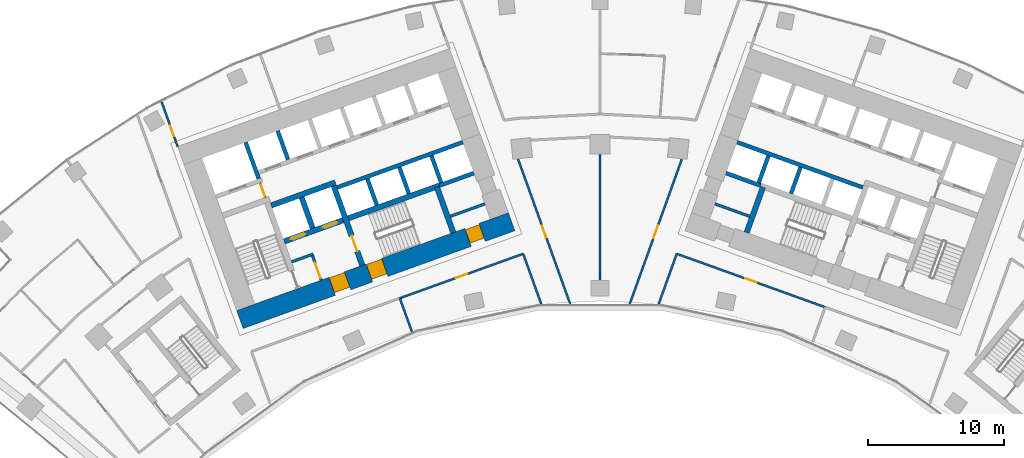
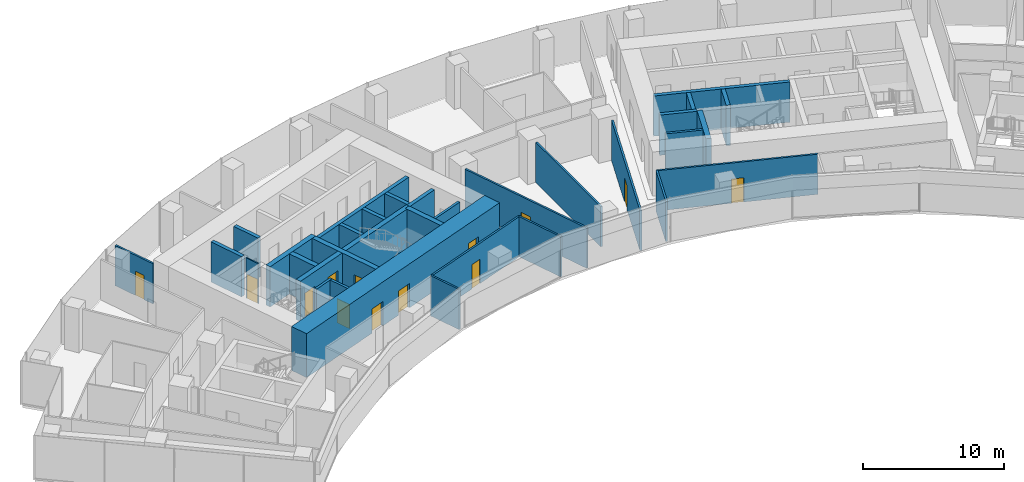
# One storey, part 14 of 20: 32 walls, 13 doors, 13 openings.
"""IFC4 building model written with IfcOpenShell, lengths in metres."""

from ifc_helpers import new_model, si_unit, direction, frame, frame_2d, origin, place, context, subcontext, project, spatial, rectangle, extrude, material, layer, layer_set, type_object, element, fill, save


model = new_model("IFC4")

# Units and contexts
model_context = context("Model", 3, precision=1e-05, world=origin(), true_north=direction((0.0, 1.0)))
body_context = subcontext(model_context, "Body", "Model", "MODEL_VIEW")
ifc_project = project(units=[si_unit("LENGTHUNIT", "METRE"), si_unit("AREAUNIT", "SQUARE_METRE"), si_unit("VOLUMEUNIT", "CUBIC_METRE"), si_unit("PLANEANGLEUNIT", "RADIAN"), si_unit("MASSUNIT", "GRAM", prefix="KILO")], contexts=[model_context])

# Site, building, storey
site_placement = place(None, origin())
site = spatial("IfcSite", under=ifc_project, at=site_placement, CompositionType="ELEMENT")
building_placement = place(site_placement, origin())
building = spatial("IfcBuilding", under=site, at=building_placement, Name="Stone Belt Terrace Tower", CompositionType="ELEMENT")
storey_placement = place(building_placement, frame((0.0, 0.0, 106.0)))
storey = spatial("IfcBuildingStorey", under=building, at=storey_placement, Name="L25", CompositionType="ELEMENT", Elevation=106.0)

# Wall, opening, door
ifc_material_1 = material(Name="Plasterboard partition")
ifc_layer_1 = layer(ifc_material_1, 0.10009765625)
ifc_layer_set_1 = layer_set([ifc_layer_1], Name="Core partition 100")
wall_type_1 = type_object("IfcWallType", Name="Core partition 100", PredefinedType="PARTITIONING", material=ifc_layer_set_1)
wall_1_placement = place(storey_placement, frame((-24.555908203125, 51.10400390625, 0.0), z_axis=(0.0, 0.0, 1.0), x_axis=(-0.338621735342, 0.94092258999, 0.0)))
wall_1 = element("IfcWall", 1, at=wall_1_placement, inside=storey, type_object=wall_type_1, Name="Core A wall", PredefinedType="PARTITIONING", context=body_context, shape_type="SweptSolid", body=[
    extrude(rectangle(XDim=1.14990234375, YDim=0.10009765625, at=frame_2d((0.574951171875, 0.0))), origin(), (0.0, 0.0, 1.0), 3.47998046875),
])
opening_1_placement = place(wall_1_placement, frame((0.050048828125, 0.0, 0.0)))
opening_1 = element("IfcOpeningElement", 2, at=opening_1_placement, cuts=wall_1, Name="Opening L25-C01", PredefinedType="OPENING", context=body_context, shape_type="SweptSolid", body=[
    extrude(rectangle(XDim=1.0, YDim=2.10009765625, at=frame_2d((0.5, 1.050048828125))), frame((0.0, 0.06005859375, 0.0), z_axis=(0.0, -1.0, 0.0), x_axis=(1.0, 0.0, 0.0)), (0.0, 0.0, 1.0), 0.1201171875),
])
ifc_material_2 = material(Name="Timber door leaf", Category="wood")
door_type_1 = type_object("IfcDoorType", Name="Core room door 1000", OperationType="SINGLE_SWING_LEFT", PredefinedType="DOOR", material=ifc_material_2)
door_1_placement = place(opening_1_placement, origin())
door_1 = element("IfcDoor", 3, at=door_1_placement, inside=storey, type_object=door_type_1, Name="Service lift lobby door core A", OperationType="SINGLE_SWING_RIGHT", OverallHeight=2.10009765625, OverallWidth=1.0, PredefinedType="DOOR", context=body_context, shape_type="SweptSolid", body=[
    extrude(rectangle(XDim=1.0, YDim=2.10009765625, at=frame_2d((0.5, 1.050048828125))), frame((0.0, 0.02490234375, 0.0), z_axis=(0.0, -1.0, 0.0), x_axis=(1.0, 0.0, 0.0)), (0.0, 0.0, 1.0), 0.050048828125),
])
fill(opening_1, door_1)

# Wall, openings, doors
ifc_material_3 = material(Name="Concrete B80", Category="concrete")
ifc_layer_2 = layer(ifc_material_3, 1.39990234375)
ifc_layer_set_2 = layer_set([ifc_layer_2], Name="Core wall 1400 B80")
wall_type_2 = type_object("IfcWallType", Name="Core wall 1400 B80", PredefinedType="SHEAR", material=ifc_layer_set_2)
wall_2_placement = place(storey_placement, frame((-26.430908203125, 42.139404296875, 0.0), z_axis=(0.0, 0.0, 1.0), x_axis=(0.940923374003, 0.33861955681, 0.0)))
wall_2 = element("IfcWall", 4, at=wall_2_placement, inside=storey, type_object=wall_type_2, Name="Core A wall concave L25", PredefinedType="SHEAR", context=body_context, shape_type="SweptSolid", body=[
    extrude(rectangle(XDim=21.199951171875, YDim=1.39990234375, at=frame_2d((10.60009765625, 0.0))), origin(), (0.0, 0.0, 1.0), 3.800048828125),
])
opening_2_placement = place(wall_2_placement, frame((7.199951171875, 0.0, 0.0)))
opening_2 = element("IfcOpeningElement", 5, at=opening_2_placement, cuts=wall_2, Name="Opening L25-C05", PredefinedType="OPENING", context=body_context, shape_type="SweptSolid", body=[
    extrude(rectangle(XDim=1.199951171875, YDim=2.10009765625, at=frame_2d((0.60009765625, 1.050048828125))), frame((0.0, 0.7099609375, 0.0), z_axis=(0.0, -1.0, 0.0), x_axis=(1.0, 0.0, 0.0)), (0.0, 0.0, 1.0), 1.419921875),
])
opening_3_placement = place(wall_2_placement, frame((10.099853515625, 0.0, 0.0)))
opening_3 = element("IfcOpeningElement", 6, at=opening_3_placement, cuts=wall_2, Name="Opening L25-C07", PredefinedType="OPENING", context=body_context, shape_type="SweptSolid", body=[
    extrude(rectangle(XDim=1.199951171875, YDim=2.10009765625, at=frame_2d((0.60009765625, 1.050048828125))), frame((0.0, 0.7099609375, 0.0), z_axis=(0.0, -1.0, 0.0), x_axis=(1.0, 0.0, 0.0)), (0.0, 0.0, 1.0), 1.419921875),
])
opening_4_placement = place(wall_2_placement, frame((17.800048828125, 0.0, 0.0)))
opening_4 = element("IfcOpeningElement", 7, at=opening_4_placement, cuts=wall_2, Name="Opening L25-C09", PredefinedType="OPENING", context=body_context, shape_type="SweptSolid", body=[
    extrude(rectangle(XDim=1.10009765625, YDim=2.10009765625, at=frame_2d((0.550048828125, 1.050048828125))), frame((0.0, 0.7099609375, 0.0), z_axis=(0.0, -1.0, 0.0), x_axis=(1.0, 0.0, 0.0)), (0.0, 0.0, 1.0), 1.419921875),
])
door_type_2 = type_object("IfcDoorType", Name="Core room door 1100", OperationType="SINGLE_SWING_LEFT", PredefinedType="DOOR", material=ifc_material_2)
door_2_placement = place(opening_4_placement, origin())
door_2 = element("IfcDoor", 8, at=door_2_placement, inside=storey, type_object=door_type_2, Name="Door to Pipe riser core A", OperationType="SINGLE_SWING_RIGHT", OverallHeight=2.10009765625, OverallWidth=1.10009765625, PredefinedType="DOOR", context=body_context, shape_type="SweptSolid", body=[
    extrude(rectangle(XDim=1.10009765625, YDim=2.10009765625, at=frame_2d((0.550048828125, 1.050048828125))), frame((0.0, 0.60498046875, 0.0), z_axis=(0.0, -1.0, 0.0), x_axis=(1.0, 0.0, 0.0)), (0.0, 0.0, 1.0), 1.050048828125),
])
fill(opening_4, door_2)
ifc_material_4 = material(Name="Steel door leaf", Category="steel")
door_type_3 = type_object("IfcDoorType", Name="Fire-fighting lobby door 1200", OperationType="SINGLE_SWING_LEFT", PredefinedType="DOOR", material=ifc_material_4)
door_3_placement = place(opening_2_placement, origin())
door_3 = element("IfcDoor", 9, at=door_3_placement, inside=storey, type_object=door_type_3, Name="Fire-fighting lobby door core A", OperationType="SINGLE_SWING_RIGHT", OverallHeight=2.10009765625, OverallWidth=1.199951171875, PredefinedType="DOOR", context=body_context, shape_type="SweptSolid", body=[
    extrude(rectangle(XDim=1.199951171875, YDim=2.10009765625, at=frame_2d((0.60009765625, 1.050048828125))), frame((0.0, 0.655029296875, 0.0), z_axis=(0.0, -1.0, 0.0), x_axis=(1.0, 0.0, 0.0)), (0.0, 0.0, 1.0), 1.14990234375),
])
fill(opening_2, door_3)
door_type_4 = type_object("IfcDoorType", Name="Stair door 1200", OperationType="SINGLE_SWING_LEFT", PredefinedType="DOOR", material=ifc_material_4)
door_4_placement = place(opening_3_placement, origin())
door_4 = element("IfcDoor", 10, at=door_4_placement, inside=storey, type_object=door_type_4, Name="Stair 2 exit door core A", OperationType="SINGLE_SWING_LEFT", OverallHeight=2.10009765625, OverallWidth=1.199951171875, PredefinedType="DOOR", context=body_context, shape_type="SweptSolid", body=[
    extrude(rectangle(XDim=1.199951171875, YDim=2.10009765625, at=frame_2d((0.60009765625, 1.050048828125))), frame((0.0, 0.655029296875, 0.0), z_axis=(0.0, -1.0, 0.0), x_axis=(1.0, 0.0, 0.0)), (0.0, 0.0, 1.0), 1.14990234375),
])
fill(opening_3, door_4)

# Walls
ifc_layer_3 = layer(ifc_material_3, 0.39990234375)
ifc_layer_set_3 = layer_set([ifc_layer_3], Name="Fire-fighting lift shaft wall 400")
wall_type_3 = type_object("IfcWallType", Name="Fire-fighting lift shaft wall 400", PredefinedType="SHEAR", material=ifc_layer_set_3)
wall_3_placement = place(storey_placement, frame((-24.130615234375, 50.512939453125, 0.0), z_axis=(0.0, 0.0, 1.0), x_axis=(0.94091168377, 0.338652038744, 0.0)))
element("IfcWall", 11, at=wall_3_placement, inside=storey, type_object=wall_type_3, Name="Core A wall", PredefinedType="SHEAR", context=body_context, shape_type="SweptSolid", body=[
    extrude(rectangle(XDim=5.000244140625, YDim=0.39990234375, at=frame_2d((2.5, 0.0))), origin(), (0.0, 0.0, 1.0), 3.47998046875),
])
wall_4_placement = place(storey_placement, frame((-21.0859375, 48.845458984375, 0.0), z_axis=(0.0, 0.0, 1.0), x_axis=(-0.338629416206, 0.940919825745, 0.0)))
element("IfcWall", 12, at=wall_4_placement, inside=storey, type_object=wall_type_3, Name="Core A wall", PredefinedType="SHEAR", context=body_context, shape_type="SweptSolid", body=[
    extrude(rectangle(XDim=2.400146484375, YDim=0.39990234375, at=frame_2d((1.2001953125, 0.0))), origin(), (0.0, 0.0, 1.0), 3.47998046875),
])
ifc_layer_4 = layer(ifc_material_3, 0.300048828125)
ifc_layer_set_4 = layer_set([ifc_layer_4], Name="Lift shaft wall 300")
wall_type_4 = type_object("IfcWallType", Name="Lift shaft wall 300", PredefinedType="SHEAR", material=ifc_layer_set_4)
wall_5_placement = place(storey_placement, frame((-25.046875, 52.46826171875, 0.0), z_axis=(0.0, 0.0, 1.0), x_axis=(-0.338549588058, 0.940948551423, 0.0)))
element("IfcWall", 13, at=wall_5_placement, inside=storey, type_object=wall_type_4, Name="Core A wall", PredefinedType="SHEAR", context=body_context, shape_type="SweptSolid", body=[
    extrude(rectangle(XDim=2.849853515625, YDim=0.300048828125, at=frame_2d((1.4248046875, 0.0))), origin(), (0.0, 0.0, 1.0), 3.47998046875),
])
wall_6_placement = place(storey_placement, frame((-22.897705078125, 53.87939453125, 0.0), z_axis=(0.0, 0.0, 1.0), x_axis=(-0.338535034312, 0.940953787677, 0.0)))
element("IfcWall", 14, at=wall_6_placement, inside=storey, type_object=wall_type_4, Name="Core A wall", PredefinedType="SHEAR", context=body_context, shape_type="SweptSolid", body=[
    extrude(rectangle(XDim=2.25, YDim=0.300048828125, at=frame_2d((1.125, 0.0))), origin(), (0.0, 0.0, 1.0), 3.47998046875),
])
wall_7_placement = place(storey_placement, frame((-19.29052734375, 51.829833984375, 0.0), z_axis=(0.0, 0.0, 1.0), x_axis=(0.940925833398, 0.338612722803, 0.0)))
element("IfcWall", 15, at=wall_7_placement, inside=storey, type_object=wall_type_4, Name="Core A wall", PredefinedType="SHEAR", context=body_context, shape_type="SweptSolid", body=[
    extrude(rectangle(XDim=9.7998046875, YDim=0.300048828125, at=frame_2d((4.89990234375, 0.0))), origin(), (0.0, 0.0, 1.0), 3.47998046875),
])
for number, where, z_axis, x_axis, name in (
    (16, (-16.38134765625, 50.53857421875, 0.0), (0.0, 0.0, 1.0), (-0.338681515556, 0.940901073982, 0.0), "Core A wall"),
    (17, (-14.029052734375, 51.38525390625, 0.0), (0.0, 0.0, 1.0), (-0.338681515556, 0.940901073982, 0.0), "Core A wall"),
):
    element("IfcWall", number, at=place(storey_placement, frame(where, z_axis=z_axis, x_axis=x_axis)), inside=storey, type_object=wall_type_4, Name=name, PredefinedType="SHEAR", context=body_context, shape_type="SweptSolid", body=[
        extrude(rectangle(XDim=2.050048828125, YDim=0.300048828125, at=frame_2d((1.02490234375, 0.0))), origin(), (0.0, 0.0, 1.0), 3.47998046875),
    ])
wall_8_placement = place(storey_placement, frame((-11.797119140625, 51.975830078125, 0.0), z_axis=(0.0, 0.0, 1.0), x_axis=(0.940910465161, 0.33865542451, 0.0)))
element("IfcWall", 18, at=wall_8_placement, inside=storey, type_object=wall_type_4, Name="Core A wall", PredefinedType="SHEAR", context=body_context, shape_type="SweptSolid", body=[
    extrude(rectangle(XDim=2.69970703125, YDim=0.300048828125, at=frame_2d((1.349853515625, 0.0))), origin(), (0.0, 0.0, 1.0), 3.47998046875),
])
wall_9_placement = place(storey_placement, frame((-11.659912109375, 52.184814453125, 0.0), z_axis=(0.0, 0.0, 1.0), x_axis=(-0.338670064856, 0.940905195634, 0.0)))
element("IfcWall", 19, at=wall_9_placement, inside=storey, type_object=wall_type_4, Name="Core A wall", PredefinedType="SHEAR", context=body_context, shape_type="SweptSolid", body=[
    extrude(rectangle(XDim=2.099853515625, YDim=0.300048828125, at=frame_2d((1.0498046875, 0.0))), origin(), (0.0, 0.0, 1.0), 3.47998046875),
])
wall_10_placement = place(storey_placement, frame((19.29052734375, 51.829833984375, 0.0), z_axis=(0.0, 0.0, 1.0), x_axis=(-0.940925833398, 0.338612722803, 0.0)))
element("IfcWall", 20, at=wall_10_placement, inside=storey, type_object=wall_type_4, Name="Core B wall", PredefinedType="SHEAR", context=body_context, shape_type="SweptSolid", body=[
    extrude(rectangle(XDim=9.7998046875, YDim=0.300048828125, at=frame_2d((4.89990234375, 0.0))), origin(), (0.0, 0.0, 1.0), 3.47998046875),
])
wall_11_placement = place(storey_placement, frame((14.029052734375, 51.38525390625, 0.0), z_axis=(0.0, 0.0, 1.0), x_axis=(0.338681515556, 0.940901073982, 0.0)))
element("IfcWall", 21, at=wall_11_placement, inside=storey, type_object=wall_type_4, Name="Core B wall", PredefinedType="SHEAR", context=body_context, shape_type="SweptSolid", body=[
    extrude(rectangle(XDim=2.050048828125, YDim=0.300048828125, at=frame_2d((1.02490234375, 0.0))), origin(), (0.0, 0.0, 1.0), 3.47998046875),
])
wall_12_placement = place(storey_placement, frame((11.797119140625, 51.975830078125, 0.0), z_axis=(0.0, 0.0, 1.0), x_axis=(-0.940910465161, 0.33865542451, 0.0)))
element("IfcWall", 22, at=wall_12_placement, inside=storey, type_object=wall_type_4, Name="Core B wall", PredefinedType="SHEAR", context=body_context, shape_type="SweptSolid", body=[
    extrude(rectangle(XDim=2.69970703125, YDim=0.300048828125, at=frame_2d((1.349853515625, 0.0))), origin(), (0.0, 0.0, 1.0), 3.47998046875),
])
wall_13_placement = place(storey_placement, frame((11.659912109375, 52.184814453125, 0.0), z_axis=(0.0, 0.0, 1.0), x_axis=(0.338670064856, 0.940905195634, 0.0)))
element("IfcWall", 23, at=wall_13_placement, inside=storey, type_object=wall_type_4, Name="Core B wall", PredefinedType="SHEAR", context=body_context, shape_type="SweptSolid", body=[
    extrude(rectangle(XDim=2.099853515625, YDim=0.300048828125, at=frame_2d((1.0498046875, 0.0))), origin(), (0.0, 0.0, 1.0), 3.47998046875),
])

# Wall, opening, door
ifc_material_5 = material(Name="Gypsum board partition")
ifc_layer_5 = layer(ifc_material_5, 0.14990234375)
ifc_layer_set_5 = layer_set([ifc_layer_5], Name="PARTITION 150 EI 60")
wall_type_5 = type_object("IfcWallType", Name="PARTITION 150 EI 60", PredefinedType="PARTITIONING", material=ifc_layer_set_5)
wall_14_placement = place(storey_placement, frame((-32.185791015625, 58.131103515625, 0.0), z_axis=(0.0, 0.0, 1.0), x_axis=(0.338662585219, -0.940907887826, 0.0)))
wall_14 = element("IfcWall", 24, at=wall_14_placement, inside=storey, type_object=wall_type_5, Name="L25/wall/i002", PredefinedType="PARTITIONING", context=body_context, shape_type="SweptSolid", body=[
    extrude(rectangle(XDim=3.49560546875, YDim=0.14990234375, at=frame_2d((1.747802734375, 0.0))), origin(), (0.0, 0.0, 1.0), 3.47998046875),
])
opening_5_placement = place(wall_14_placement, frame((1.871826171875, 0.0, 0.0)))
opening_5 = element("IfcOpeningElement", 25, at=opening_5_placement, cuts=wall_14, Name="Opening D-B3-03", PredefinedType="OPENING", context=body_context, shape_type="SweptSolid", body=[
    extrude(rectangle(XDim=0.800048828125, YDim=2.10009765625, at=frame_2d((0.39990234375, 1.050048828125))), frame((0.0, 0.0849609375, 0.0), z_axis=(0.0, -1.0, 0.0), x_axis=(1.0, 0.0, 0.0)), (0.0, 0.0, 1.0), 0.169921875),
])
door_type_5 = type_object("IfcDoorType", Name="STORE DOOR 800 X 2100", OperationType="NOTDEFINED", PredefinedType="DOOR", material=ifc_material_2)
door_5_placement = place(opening_5_placement, origin())
door_5 = element("IfcDoor", 26, at=door_5_placement, inside=storey, type_object=door_type_5, Name="L25/door/i03", OperationType="SINGLE_SWING_RIGHT", OverallHeight=2.10009765625, OverallWidth=0.800048828125, PredefinedType="DOOR", context=body_context, shape_type="SweptSolid", body=[
    extrude(rectangle(XDim=0.800048828125, YDim=2.10009765625, at=frame_2d((0.39990234375, 1.050048828125))), frame((0.0, 0.02490234375, 0.0), z_axis=(0.0, -1.0, 0.0), x_axis=(1.0, 0.0, 0.0)), (0.0, 0.0, 1.0), 0.050048828125),
])
fill(opening_5, door_5)

# Wall
wall_15_placement = place(storey_placement, frame((-4.31005859375, 43.27783203125, 0.0), z_axis=(0.0, 0.0, 1.0), x_axis=(-0.338490436495, 0.940969831823, 0.0)))
element("IfcWall", 27, at=wall_15_placement, inside=storey, type_object=wall_type_5, Name="L25/wall/i006", PredefinedType="PARTITIONING", context=body_context, shape_type="SweptSolid", body=[
    extrude(rectangle(XDim=3.92578125, YDim=0.14990234375, at=frame_2d((1.962890625, 0.0))), origin(), (0.0, 0.0, 1.0), 3.47998046875),
])

# Wall, opening, door
wall_16_placement = place(storey_placement, frame((-6.011962890625, 53.911865234375, 0.0), z_axis=(0.0, 0.0, 1.0), x_axis=(0.338656837626, -0.940909956547, 0.0)))
wall_16 = element("IfcWall", 28, at=wall_16_placement, inside=storey, type_object=wall_type_5, Name="L25/wall/i008", PredefinedType="PARTITIONING", context=body_context, shape_type="SweptSolid", body=[
    extrude(rectangle(XDim=11.319091796875, YDim=0.14990234375, at=frame_2d((5.65966796875, 0.0))), origin(), (0.0, 0.0, 1.0), 3.47998046875),
])
opening_6_placement = place(wall_16_placement, frame((5.20947265625, 0.0, 0.0)))
opening_6 = element("IfcOpeningElement", 29, at=opening_6_placement, cuts=wall_16, Name="Opening D-B3-26", PredefinedType="OPENING", context=body_context, shape_type="SweptSolid", body=[
    extrude(rectangle(XDim=0.89990234375, YDim=2.10009765625, at=frame_2d((0.449951171875, 1.050048828125))), frame((0.0, 0.0849609375, 0.0), z_axis=(0.0, -1.0, 0.0), x_axis=(1.0, 0.0, 0.0)), (0.0, 0.0, 1.0), 0.169921875),
])
door_type_6 = type_object("IfcDoorType", Name="OFFICE DOOR 900 X 2100", OperationType="NOTDEFINED", PredefinedType="DOOR", material=ifc_material_2)
door_6_placement = place(opening_6_placement, origin())
door_6 = element("IfcDoor", 30, at=door_6_placement, inside=storey, type_object=door_type_6, Name="L25/door/i26", OperationType="SINGLE_SWING_RIGHT", OverallHeight=2.10009765625, OverallWidth=0.89990234375, PredefinedType="DOOR", context=body_context, shape_type="SweptSolid", body=[
    extrude(rectangle(XDim=0.89990234375, YDim=2.10009765625, at=frame_2d((0.449951171875, 1.050048828125))), frame((0.0, 0.02490234375, 0.0), z_axis=(0.0, -1.0, 0.0), x_axis=(1.0, 0.0, 0.0)), (0.0, 0.0, 1.0), 0.050048828125),
])
fill(opening_6, door_6)

wall_17_placement = place(storey_placement, frame((-5.636962890625, 46.966064453125, 0.0), z_axis=(0.0, 0.0, 1.0), x_axis=(-0.940920049303, -0.338628795025, 0.0)))
wall_17 = element("IfcWall", 31, at=wall_17_placement, inside=storey, type_object=wall_type_5, Name="L25/wall/i011", PredefinedType="PARTITIONING", context=body_context, shape_type="SweptSolid", body=[
    extrude(rectangle(XDim=9.6298828125, YDim=0.14990234375, at=frame_2d((4.81494140625, 0.0))), origin(), (0.0, 0.0, 1.0), 3.47998046875),
])
opening_7_placement = place(wall_17_placement, frame((4.364990234375, 0.0, 0.0)))
opening_7 = element("IfcOpeningElement", 32, at=opening_7_placement, cuts=wall_17, Name="Opening D-B3-02", PredefinedType="OPENING", context=body_context, shape_type="SweptSolid", body=[
    extrude(rectangle(XDim=0.89990234375, YDim=2.10009765625, at=frame_2d((0.449951171875, 1.050048828125))), frame((0.0, 0.0849609375, 0.0), z_axis=(0.0, -1.0, 0.0), x_axis=(1.0, 0.0, 0.0)), (0.0, 0.0, 1.0), 0.169921875),
])
door_7_placement = place(opening_7_placement, origin())
door_7 = element("IfcDoor", 33, at=door_7_placement, inside=storey, type_object=door_type_6, Name="L25/door/i02", OperationType="SINGLE_SWING_RIGHT", OverallHeight=2.10009765625, OverallWidth=0.89990234375, PredefinedType="DOOR", context=body_context, shape_type="SweptSolid", body=[
    extrude(rectangle(XDim=0.89990234375, YDim=2.10009765625, at=frame_2d((0.449951171875, 1.050048828125))), frame((0.0, 0.02490234375, 0.0), z_axis=(0.0, -1.0, 0.0), x_axis=(1.0, 0.0, 0.0)), (0.0, 0.0, 1.0), 0.050048828125),
])
fill(opening_7, door_7)

# Walls
wall_18_placement = place(storey_placement, frame((-14.69189453125, 43.70703125, 0.0), z_axis=(0.0, 0.0, 1.0), x_axis=(0.338781932317, -0.940864922471, 0.0)))
element("IfcWall", 34, at=wall_18_placement, inside=storey, type_object=wall_type_5, Name="L25/wall/i012", PredefinedType="PARTITIONING", context=body_context, shape_type="SweptSolid", body=[
    extrude(rectangle(XDim=2.629638671875, YDim=0.14990234375, at=frame_2d((1.31494140625, 0.0))), origin(), (0.0, 0.0, 1.0), 3.47998046875),
])
wall_19_placement = place(storey_placement, frame((5.638916015625, 46.971923828125, 0.0), z_axis=(0.0, 0.0, 1.0), x_axis=(-0.338490436495, -0.940969831823, 0.0)))
element("IfcWall", 35, at=wall_19_placement, inside=storey, type_object=wall_type_5, Name="L25/wall/i014", PredefinedType="PARTITIONING", context=body_context, shape_type="SweptSolid", body=[
    extrude(rectangle(XDim=3.92578125, YDim=0.14990234375, at=frame_2d((1.962890625, 0.0))), origin(), (0.0, 0.0, 1.0), 3.47998046875),
])

# Wall, opening, door
wall_20_placement = place(storey_placement, frame((2.1787109375, 43.26171875, 0.0), z_axis=(0.0, 0.0, 1.0), x_axis=(0.338656837626, 0.940909956547, 0.0)))
wall_20 = element("IfcWall", 36, at=wall_20_placement, inside=storey, type_object=wall_type_5, Name="L25/wall/i016", PredefinedType="PARTITIONING", context=body_context, shape_type="SweptSolid", body=[
    extrude(rectangle(XDim=11.319091796875, YDim=0.14990234375, at=frame_2d((5.65966796875, 0.0))), origin(), (0.0, 0.0, 1.0), 3.47998046875),
])
opening_8_placement = place(wall_20_placement, frame((5.159423828125, 0.0, 0.0)))
opening_8 = element("IfcOpeningElement", 37, at=opening_8_placement, cuts=wall_20, Name="Opening D-B3-27", PredefinedType="OPENING", context=body_context, shape_type="SweptSolid", body=[
    extrude(rectangle(XDim=1.0, YDim=2.10009765625, at=frame_2d((0.5, 1.050048828125))), frame((0.0, 0.0849609375, 0.0), z_axis=(0.0, -1.0, 0.0), x_axis=(1.0, 0.0, 0.0)), (0.0, 0.0, 1.0), 0.169921875),
])
ifc_material_6 = material(Name="Timber fire door leaf", Category="wood")
door_type_7 = type_object("IfcDoorType", Name="TENANCY ENTRANCE DOOR 1000 X 2100", OperationType="NOTDEFINED", PredefinedType="DOOR", material=ifc_material_6)
door_8_placement = place(opening_8_placement, origin())
door_8 = element("IfcDoor", 38, at=door_8_placement, inside=storey, type_object=door_type_7, Name="L25/door/i27", OperationType="SINGLE_SWING_LEFT", OverallHeight=2.10009765625, OverallWidth=1.0, PredefinedType="DOOR", context=body_context, shape_type="SweptSolid", body=[
    extrude(rectangle(XDim=1.0, YDim=2.10009765625, at=frame_2d((0.5, 1.050048828125))), frame((0.0, 0.02490234375, 0.0), z_axis=(0.0, -1.0, 0.0), x_axis=(1.0, 0.0, 0.0)), (0.0, 0.0, 1.0), 0.050048828125),
])
fill(opening_8, door_8)

wall_21_placement = place(storey_placement, frame((16.534912109375, 43.0439453125, 0.0), z_axis=(0.0, 0.0, 1.0), x_axis=(-0.940918846989, 0.338632135778, 0.0)))
wall_21 = element("IfcWall", 39, at=wall_21_placement, inside=storey, type_object=wall_type_5, Name="L25/wall/i024", PredefinedType="PARTITIONING", context=body_context, shape_type="SweptSolid", body=[
    extrude(rectangle(XDim=11.582275390625, YDim=0.14990234375, at=frame_2d((5.791015625, 0.0))), origin(), (0.0, 0.0, 1.0), 3.47998046875),
])
opening_9_placement = place(wall_21_placement, frame((5.341064453125, 0.0, 0.0)))
opening_9 = element("IfcOpeningElement", 40, at=opening_9_placement, cuts=wall_21, Name="Opening D-B3-05", PredefinedType="OPENING", context=body_context, shape_type="SweptSolid", body=[
    extrude(rectangle(XDim=0.89990234375, YDim=2.10009765625, at=frame_2d((0.449951171875, 1.050048828125))), frame((0.0, 0.0849609375, 0.0), z_axis=(0.0, -1.0, 0.0), x_axis=(1.0, 0.0, 0.0)), (0.0, 0.0, 1.0), 0.169921875),
])
door_9_placement = place(opening_9_placement, origin())
door_9 = element("IfcDoor", 41, at=door_9_placement, inside=storey, type_object=door_type_6, Name="L25/door/i05", OperationType="SINGLE_SWING_RIGHT", OverallHeight=2.10009765625, OverallWidth=0.89990234375, PredefinedType="DOOR", context=body_context, shape_type="SweptSolid", body=[
    extrude(rectangle(XDim=0.89990234375, YDim=2.10009765625, at=frame_2d((0.449951171875, 1.050048828125))), frame((0.0, 0.02490234375, 0.0), z_axis=(0.0, -1.0, 0.0), x_axis=(1.0, 0.0, 0.0)), (0.0, 0.0, 1.0), 0.050048828125),
])
fill(opening_9, door_9)

# Walls
wall_22_placement = place(storey_placement, frame((0.0, 54.2451171875, 0.0), z_axis=(0.0, 0.0, 1.0), x_axis=(0.0, -1.0, 0.0)))
element("IfcWall", 42, at=wall_22_placement, inside=storey, type_object=wall_type_5, Name="L25/wall/i090", PredefinedType="PARTITIONING", context=body_context, shape_type="SweptSolid", body=[
    extrude(rectangle(XDim=9.195068359375, YDim=0.14990234375, at=frame_2d((4.59765625, 0.0))), origin(), (0.0, 0.0, 1.0), 3.47998046875),
])
ifc_material_7 = material(Name="Concrete masonry block", Category="masonry")
ifc_layer_6 = layer(ifc_material_7, 0.199951171875)
ifc_layer_set_6 = layer_set([ifc_layer_6], Name="Rated lobby wall 200")
wall_type_6 = type_object("IfcWallType", Name="Rated lobby wall 200", PredefinedType="PARTITIONING", material=ifc_layer_set_6)
wall_23_placement = place(storey_placement, frame((-22.640625, 46.373046875, 0.0), z_axis=(0.0, 0.0, 1.0), x_axis=(0.940966110313, 0.338500781747, 0.0)))
element("IfcWall", 43, at=wall_23_placement, inside=storey, type_object=wall_type_6, Name="Core A wall", PredefinedType="PARTITIONING", context=body_context, shape_type="SweptSolid", body=[
    extrude(rectangle(XDim=1.699951171875, YDim=0.199951171875, at=frame_2d((0.85009765625, 0.0))), origin(), (0.0, 0.0, 1.0), 3.47998046875),
])

# Wall, opening, door
wall_24_placement = place(storey_placement, frame((-20.4580078125, 45.032958984375, 0.0), z_axis=(0.0, 0.0, 1.0), x_axis=(-0.338573865316, 0.940939816208, 0.0)))
wall_24 = element("IfcWall", 44, at=wall_24_placement, inside=storey, type_object=wall_type_6, Name="Core A wall", PredefinedType="PARTITIONING", context=body_context, shape_type="SweptSolid", body=[
    extrude(rectangle(XDim=1.900146484375, YDim=0.199951171875, at=frame_2d((0.9501953125, 0.0))), origin(), (0.0, 0.0, 1.0), 3.47998046875),
])
opening_10_placement = place(wall_24_placement, frame((0.14990234375, 0.0, 0.0)))
opening_10 = element("IfcOpeningElement", 45, at=opening_10_placement, cuts=wall_24, Name="Opening L25-C04", PredefinedType="OPENING", context=body_context, shape_type="SweptSolid", body=[
    extrude(rectangle(XDim=1.199951171875, YDim=2.10009765625, at=frame_2d((0.60009765625, 1.050048828125))), frame((0.0, 0.10986328125, 0.0), z_axis=(0.0, -1.0, 0.0), x_axis=(1.0, 0.0, 0.0)), (0.0, 0.0, 1.0), 0.219970703125),
])
door_10_placement = place(opening_10_placement, origin())
door_10 = element("IfcDoor", 46, at=door_10_placement, inside=storey, type_object=door_type_4, Name="Stair airlock door core A", OperationType="SINGLE_SWING_RIGHT", OverallHeight=2.10009765625, OverallWidth=1.199951171875, PredefinedType="DOOR", context=body_context, shape_type="SweptSolid", body=[
    extrude(rectangle(XDim=1.199951171875, YDim=2.10009765625, at=frame_2d((0.60009765625, 1.050048828125))), frame((0.0, 0.02490234375, 0.0), z_axis=(0.0, -1.0, 0.0), x_axis=(1.0, 0.0, 0.0)), (0.0, 0.0, 1.0), 0.050048828125),
])
fill(opening_10, door_10)

# Walls
for number, where, z_axis, x_axis, name in (
    (47, (-10.984619140625, 49.717529296875, 0.0), (0.0, 0.0, 1.0), (0.940920834877, 0.338626612206, 0.0), "Core A wall"),
    (48, (10.984619140625, 49.717529296875, 0.0), (0.0, 0.0, 1.0), (-0.940920834877, 0.338626612206, 0.0), "Core B wall"),
):
    element("IfcWall", number, at=place(storey_placement, frame(where, z_axis=z_axis, x_axis=x_axis)), inside=storey, type_object=wall_type_6, Name=name, PredefinedType="PARTITIONING", context=body_context, shape_type="SweptSolid", body=[
        extrude(rectangle(XDim=2.699951171875, YDim=0.199951171875, at=frame_2d((1.35009765625, 0.0))), origin(), (0.0, 0.0, 1.0), 3.47998046875),
    ])

# Wall, openings, doors
ifc_layer_7 = layer(ifc_material_3, 0.39990234375)
ifc_layer_set_7 = layer_set([ifc_layer_7], Name="Stair enclosure wall 400")
wall_type_7 = type_object("IfcWallType", Name="Stair enclosure wall 400", PredefinedType="SHEAR", material=ifc_layer_set_7)
wall_25_placement = place(storey_placement, frame((-23.182373046875, 47.87841796875, 0.0), z_axis=(0.0, 0.0, 1.0), x_axis=(0.940921101762, 0.338625870628, 0.0)))
wall_25 = element("IfcWall", 49, at=wall_25_placement, inside=storey, type_object=wall_type_7, Name="Core A wall", PredefinedType="SHEAR", context=body_context, shape_type="SweptSolid", body=[
    extrude(rectangle(XDim=12.10009765625, YDim=0.39990234375, at=frame_2d((6.050048828125, 0.0))), origin(), (0.0, 0.0, 1.0), 3.47998046875),
])
opening_11_placement = place(wall_25_placement, frame((0.52001953125, 0.0, 0.0)))
opening_11 = element("IfcOpeningElement", 50, at=opening_11_placement, cuts=wall_25, Name="Opening L25-LD07", PredefinedType="OPENING", context=body_context, shape_type="SweptSolid", body=[
    extrude(rectangle(XDim=1.10009765625, YDim=2.199951171875, at=frame_2d((0.550048828125, 1.10009765625))), frame((0.0, 0.2099609375, 0.0), z_axis=(0.0, -1.0, 0.0), x_axis=(1.0, 0.0, 0.0)), (0.0, 0.0, 1.0), 0.419921875),
])
opening_12_placement = place(wall_25_placement, frame((3.02001953125, 0.0, 0.0)))
opening_12 = element("IfcOpeningElement", 51, at=opening_12_placement, cuts=wall_25, Name="Opening L25-LD08", PredefinedType="OPENING", context=body_context, shape_type="SweptSolid", body=[
    extrude(rectangle(XDim=1.10009765625, YDim=2.199951171875, at=frame_2d((0.550048828125, 1.10009765625))), frame((0.0, 0.2099609375, 0.0), z_axis=(0.0, -1.0, 0.0), x_axis=(1.0, 0.0, 0.0)), (0.0, 0.0, 1.0), 0.419921875),
])
ifc_material_8 = material(Name="Stainless steel door leaf", Category="steel")
door_type_8 = type_object("IfcDoorType", Name="Landing door 1100", OperationType="SLIDING_TO_LEFT", PredefinedType="DOOR", material=ifc_material_8)
door_11_placement = place(opening_11_placement, origin())
door_11 = element("IfcDoor", 52, at=door_11_placement, inside=storey, type_object=door_type_8, Name="Landing door FF1 core A", OperationType="SLIDING_TO_LEFT", OverallHeight=2.199951171875, OverallWidth=1.10009765625, PredefinedType="DOOR", context=body_context, shape_type="SweptSolid", body=[
    extrude(rectangle(XDim=1.10009765625, YDim=2.199951171875, at=frame_2d((0.550048828125, 1.10009765625))), frame((0.0, 0.02490234375, 0.0), z_axis=(0.0, -1.0, 0.0), x_axis=(1.0, 0.0, 0.0)), (0.0, 0.0, 1.0), 0.050048828125),
])
fill(opening_11, door_11)
door_12_placement = place(opening_12_placement, origin())
door_12 = element("IfcDoor", 53, at=door_12_placement, inside=storey, type_object=door_type_8, Name="Landing door FF2 core A", OperationType="SLIDING_TO_LEFT", OverallHeight=2.199951171875, OverallWidth=1.10009765625, PredefinedType="DOOR", context=body_context, shape_type="SweptSolid", body=[
    extrude(rectangle(XDim=1.10009765625, YDim=2.199951171875, at=frame_2d((0.550048828125, 1.10009765625))), frame((0.0, 0.02490234375, 0.0), z_axis=(0.0, -1.0, 0.0), x_axis=(1.0, 0.0, 0.0)), (0.0, 0.0, 1.0), 0.050048828125),
])
fill(opening_12, door_12)

# Wall, opening, door
wall_26_placement = place(storey_placement, frame((-17.447021484375, 46.116455078125, 0.0), z_axis=(0.0, 0.0, 1.0), x_axis=(-0.33860791464, 0.940927563707, 0.0)))
wall_26 = element("IfcWall", 54, at=wall_26_placement, inside=storey, type_object=wall_type_7, Name="Core A wall", PredefinedType="SHEAR", context=body_context, shape_type="SweptSolid", body=[
    extrude(rectangle(XDim=6.199951171875, YDim=0.39990234375, at=frame_2d((3.10009765625, 0.0))), origin(), (0.0, 0.0, 1.0), 3.47998046875),
])
opening_13_placement = place(wall_26_placement, frame((1.10009765625, 0.0, 0.0)))
opening_13 = element("IfcOpeningElement", 55, at=opening_13_placement, cuts=wall_26, Name="Opening L25-C06", PredefinedType="OPENING", context=body_context, shape_type="SweptSolid", body=[
    extrude(rectangle(XDim=1.199951171875, YDim=2.10009765625, at=frame_2d((0.60009765625, 1.050048828125))), frame((0.0, 0.2099609375, 0.0), z_axis=(0.0, -1.0, 0.0), x_axis=(1.0, 0.0, 0.0)), (0.0, 0.0, 1.0), 0.419921875),
])
door_13_placement = place(opening_13_placement, origin())
door_13 = element("IfcDoor", 56, at=door_13_placement, inside=storey, type_object=door_type_4, Name="Stair 2 door core A", OperationType="SINGLE_SWING_RIGHT", OverallHeight=2.10009765625, OverallWidth=1.199951171875, PredefinedType="DOOR", context=body_context, shape_type="SweptSolid", body=[
    extrude(rectangle(XDim=1.199951171875, YDim=2.10009765625, at=frame_2d((0.60009765625, 1.050048828125))), frame((0.0, 0.02490234375, 0.0), z_axis=(0.0, -1.0, 0.0), x_axis=(1.0, 0.0, 0.0)), (0.0, 0.0, 1.0), 0.050048828125),
])
fill(opening_13, door_13)

# Walls
for number, where, z_axis, x_axis, name in (
    (57, (-10.766357421875, 48.520751953125, 0.0), (0.0, 0.0, 1.0), (-0.338626928157, 0.94092072117, 0.0), "Core A wall"),
    (58, (10.766357421875, 48.520751953125, 0.0), (0.0, 0.0, 1.0), (0.338626928157, 0.94092072117, 0.0), "Core B wall"),
):
    element("IfcWall", number, at=place(storey_placement, frame(where, z_axis=z_axis, x_axis=x_axis)), inside=storey, type_object=wall_type_7, Name=name, PredefinedType="SHEAR", context=body_context, shape_type="SweptSolid", body=[
        extrude(rectangle(XDim=3.550048828125, YDim=0.39990234375, at=frame_2d((1.77490234375, 0.0))), origin(), (0.0, 0.0, 1.0), 3.47998046875),
    ])

save(model, "model.ifc")
